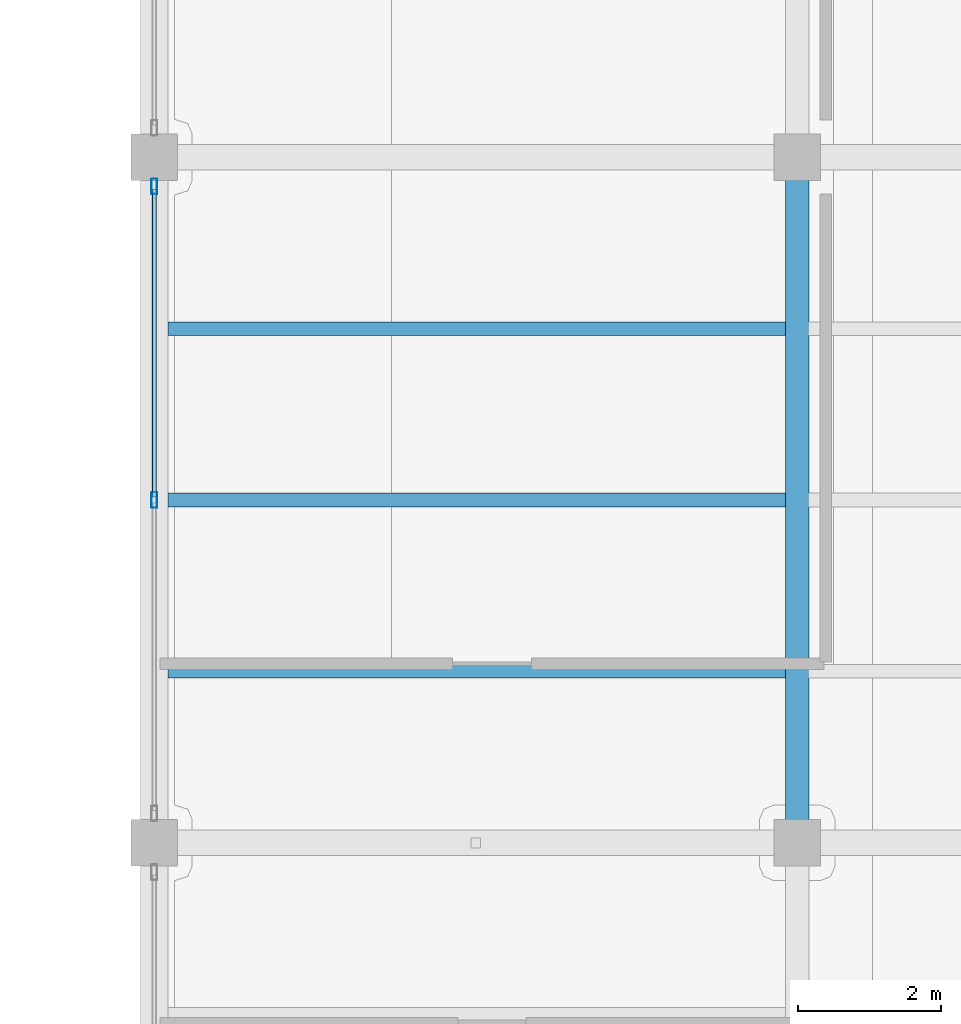
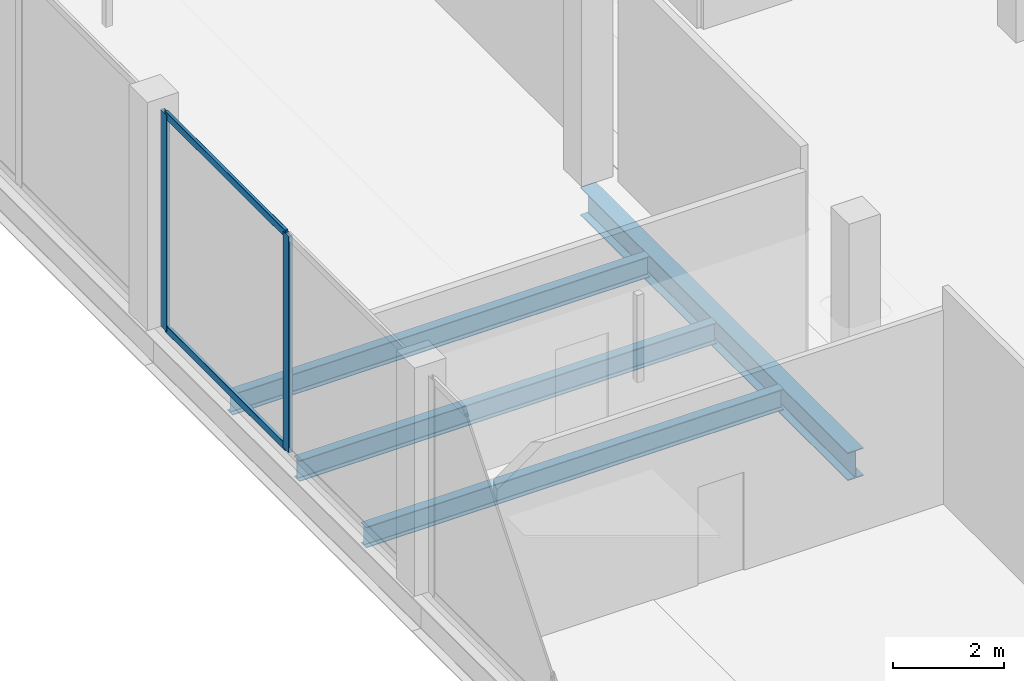
# One storey, part 9 of 46: 4 beams, 4 members, 1 element without a shape of its own.
"""IFC4 building model written with IfcOpenShell, lengths in metres."""

from ifc_helpers import new_model, si_unit, direction, frame, origin, origin_2d, place, context, subcontext, project, spatial, hollow_rectangle, i_section, extrude, material, layer, layer_set, material_profile, profile_set, type_object, element, aggregate, save


model = new_model("IFC4")

# Units and contexts
model_context = context("Model", 3, precision=1e-05, world=origin(), true_north=direction((0.0, 1.0)))
body_context = subcontext(model_context, "Body", "Model", "MODEL_VIEW")
ifc_project = project(units=[si_unit("LENGTHUNIT", "METRE"), si_unit("AREAUNIT", "SQUARE_METRE"), si_unit("VOLUMEUNIT", "CUBIC_METRE"), si_unit("PLANEANGLEUNIT", "RADIAN"), si_unit("MASSUNIT", "GRAM", prefix="KILO")], contexts=[model_context])

# Site, building, storey
site_placement = place(None, origin())
site = spatial("IfcSite", under=ifc_project, at=site_placement, CompositionType="ELEMENT")
building_placement = place(site_placement, origin())
building = spatial("IfcBuilding", under=site, at=building_placement, Name="Qorvath Tower", CompositionType="ELEMENT")
storey_placement = place(building_placement, frame((0.0, 0.0, 17.0)))
storey = spatial("IfcBuildingStorey", under=building, at=storey_placement, Name="L03", CompositionType="ELEMENT", Elevation=17.0)

# Beams
ifc_material_1 = material(Name="Steel ASTM A992 Grade 50", Category="steel")
ifc_material_profile_1 = material_profile(ifc_material_1, i_section(OverallWidth=0.324951171875, OverallDepth=0.615966796875, WebThickness=0.013916015625, FlangeThickness=0.021484375, FilletRadius=0.01611328125, at=origin_2d()), Name="W24x117")
ifc_profile_set_1 = profile_set([ifc_material_profile_1], Name="Steel ASTM A992 Grade 50")
beam_type_1 = type_object("IfcBeamType", Name="BM-FG5", PredefinedType="BEAM", material=ifc_profile_set_1)
beam_placement = place(storey_placement, frame((41.39990234375, 0.0, -0.568115234375), z_axis=(0.0, 1.0, 0.0), x_axis=(-1.0, 0.0, 0.0)))
element("IfcBeam", 1, at=beam_placement, inside=storey, type_object=beam_type_1, Name="Library N-S Girder L03-2-5", PredefinedType="BEAM", context=body_context, shape_type="SweptSolid", body=[
    extrude(i_section(OverallWidth=0.324951171875, OverallDepth=0.615966796875, WebThickness=0.013916015625, FlangeThickness=0.021484375, FilletRadius=0.01611328125, at=origin_2d()), origin(), (0.0, 0.0, 1.0), 9.60009765625),
])
ifc_material_2 = material(Name="Steel ASTM A992 Grade 50", Category="steel")
ifc_material_profile_2 = material_profile(ifc_material_2, i_section(OverallWidth=0.18994140625, OverallDepth=0.45703125, WebThickness=0.009033203125, FlangeThickness=0.014404296875, FilletRadius=0.011962890625, at=origin_2d()), Name="W18x50")
ifc_profile_set_2 = profile_set([ifc_material_profile_2], Name="Steel ASTM A992 Grade 50")
beam_type_2 = type_object("IfcBeamType", Name="BM-FJ2", PredefinedType="JOIST", material=ifc_profile_set_2)
for number, where, z_axis, x_axis, name in (
    (2, (32.58837890625, 2.39990234375, -0.488525390625), (1.0, 0.0, 0.0), (0.0, 1.0, 0.0), "Library Stack Joist L03-5.1-1"),
    (3, (32.58837890625, 4.800048828125, -0.488525390625), (1.0, 0.0, 0.0), (0.0, 1.0, 0.0), "Library Stack Joist L03-5.2-1"),
    (4, (32.58837890625, 7.199951171875, -0.488525390625), (1.0, 0.0, 0.0), (0.0, 1.0, 0.0), "Library Stack Joist L03-5.3-1"),
):
    element("IfcBeam", number, at=place(storey_placement, frame(where, z_axis=z_axis, x_axis=x_axis)), inside=storey, type_object=beam_type_2, Name=name, PredefinedType="JOIST", context=body_context, shape_type="SweptSolid", body=[
        extrude(i_section(OverallWidth=0.18994140625, OverallDepth=0.45703125, WebThickness=0.009033203125, FlangeThickness=0.014404296875, FilletRadius=0.011962890625, at=origin_2d()), origin(), (0.0, 0.0, 1.0), 8.651123046875),
    ])

# Curtain wall, members
ifc_material_3 = material(Name="Anodised aluminium and triple low-E glass", Category="aluminium")
ifc_layer = layer(ifc_material_3, 0.179931640625)
ifc_layer_set = layer_set([ifc_layer], Name="CW-SYS-6")
curtain_wall_type = type_object("IfcCurtainWallType", Name="CW-SYS-6", PredefinedType="NOTDEFINED", material=ifc_layer_set)
curtain_wall_placement = place(storey_placement, origin())
curtain_wall = element("IfcCurtainWall", 5, at=curtain_wall_placement, inside=storey, type_object=curtain_wall_type, Name="Curtain Wall CW-6 CW-LIB-W-L03-5", PredefinedType="NOTDEFINED")
ifc_material_4 = material(Name="Anodised aluminium 6063-T6", Category="aluminium")
ifc_material_profile_3 = material_profile(ifc_material_4, hollow_rectangle(XDim=0.080078125, YDim=0.219970703125, WallThickness=0.00439453125, InnerFilletRadius=0.00439453125, OuterFilletRadius=0.009033203125, at=origin_2d()), Name="CWM LIB 220x80")
ifc_profile_set_3 = profile_set([ifc_material_profile_3], Name="Anodised aluminium 6063-T6")
member_type_1 = type_object("IfcMemberType", Name="CWM-LIB", PredefinedType="MULLION", material=ifc_profile_set_3)
member_1_placement = place(storey_placement, frame((32.39990234375, 4.800048828125, 0.0), z_axis=(0.0, 0.0, 1.0), x_axis=(-1.0, 0.0, 0.0)))
member_1 = element("IfcMember", 6, at=member_1_placement, type_object=member_type_1, Name="CW-6 mullion 2", PredefinedType="MULLION", context=body_context, shape_type="SweptSolid", body=[
    extrude(hollow_rectangle(XDim=0.080078125, YDim=0.219970703125, WallThickness=0.00439453125, InnerFilletRadius=0.00439453125, OuterFilletRadius=0.009033203125, at=origin_2d()), origin(), (0.0, 0.0, 1.0), 4.739990234375),
])
member_2_placement = place(storey_placement, frame((32.39990234375, 9.18994140625, 0.0), z_axis=(0.0, 0.0, 1.0), x_axis=(-1.0, 0.0, 0.0)))
member_2 = element("IfcMember", 7, at=member_2_placement, type_object=member_type_1, Name="CW-6 mullion 3", PredefinedType="MULLION", context=body_context, shape_type="SweptSolid", body=[
    extrude(hollow_rectangle(XDim=0.080078125, YDim=0.219970703125, WallThickness=0.00439453125, InnerFilletRadius=0.00439453125, OuterFilletRadius=0.009033203125, at=origin_2d()), origin(), (0.0, 0.0, 1.0), 4.739990234375),
])
ifc_material_5 = material(Name="Anodised aluminium 6063-T6", Category="aluminium")
ifc_material_profile_4 = material_profile(ifc_material_5, hollow_rectangle(XDim=0.06494140625, YDim=0.159912109375, WallThickness=0.00341796875, InnerFilletRadius=0.00341796875, OuterFilletRadius=0.007080078125, at=origin_2d()), Name="CWT 160x65")
ifc_profile_set_4 = profile_set([ifc_material_profile_4], Name="Anodised aluminium 6063-T6")
member_type_2 = type_object("IfcMemberType", Name="CWT-160", PredefinedType="USERDEFINED", material=ifc_profile_set_4)
member_3_placement = place(storey_placement, frame((32.39990234375, 4.840087890625, 0.032470703125), z_axis=(0.0, 1.0, 0.0), x_axis=(-1.0, 0.0, 0.0)))
member_3 = element("IfcMember", 8, at=member_3_placement, type_object=member_type_2, Name="CW-6 transom 2.1", ObjectType="TRANSOM", PredefinedType="USERDEFINED", context=body_context, shape_type="SweptSolid", body=[
    extrude(hollow_rectangle(XDim=0.06494140625, YDim=0.159912109375, WallThickness=0.00341796875, InnerFilletRadius=0.00341796875, OuterFilletRadius=0.007080078125, at=origin_2d()), origin(), (0.0, 0.0, 1.0), 4.309814453125),
])
member_4_placement = place(storey_placement, frame((32.39990234375, 4.840087890625, 4.70751953125), z_axis=(0.0, 1.0, 0.0), x_axis=(-1.0, 0.0, 0.0)))
member_4 = element("IfcMember", 9, at=member_4_placement, type_object=member_type_2, Name="CW-6 transom 2.2", ObjectType="TRANSOM", PredefinedType="USERDEFINED", context=body_context, shape_type="SweptSolid", body=[
    extrude(hollow_rectangle(XDim=0.06494140625, YDim=0.159912109375, WallThickness=0.00341796875, InnerFilletRadius=0.00341796875, OuterFilletRadius=0.007080078125, at=origin_2d()), origin(), (0.0, 0.0, 1.0), 4.309814453125),
])
aggregate(curtain_wall, [member_1, member_2, member_3, member_4])

save(model, "model.ifc")
